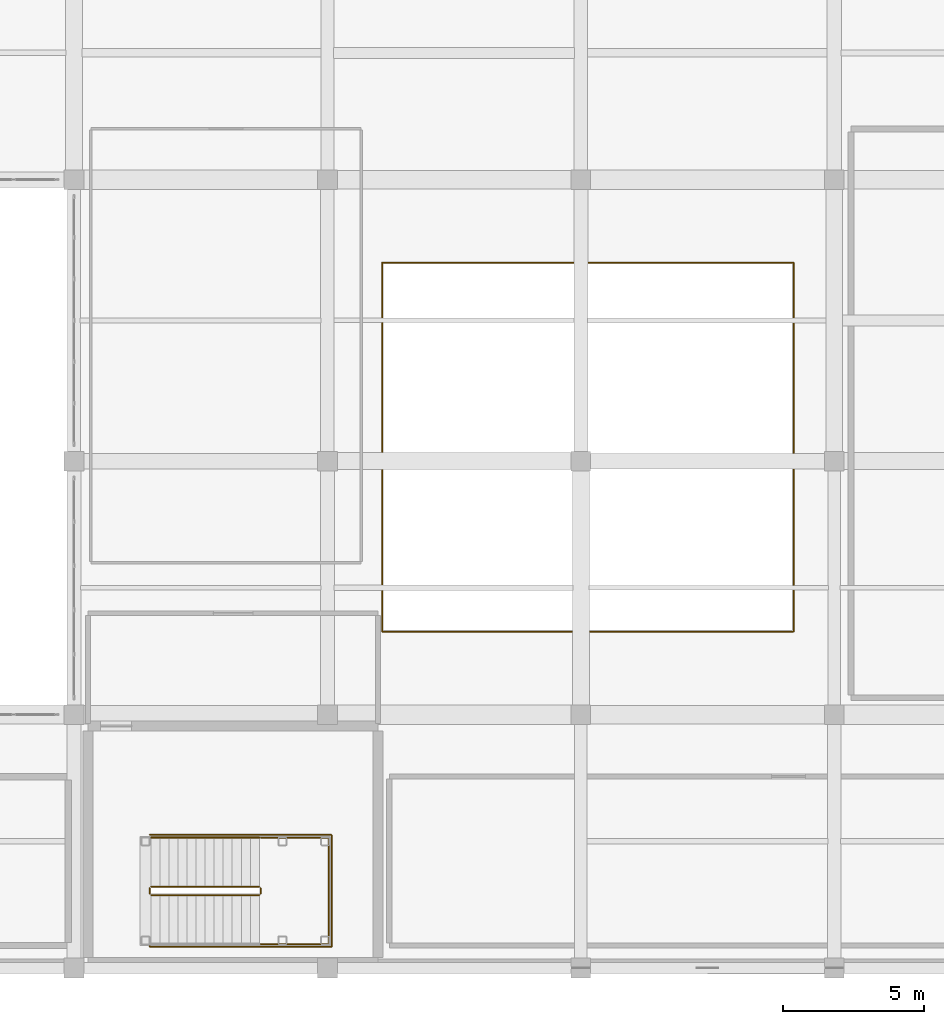
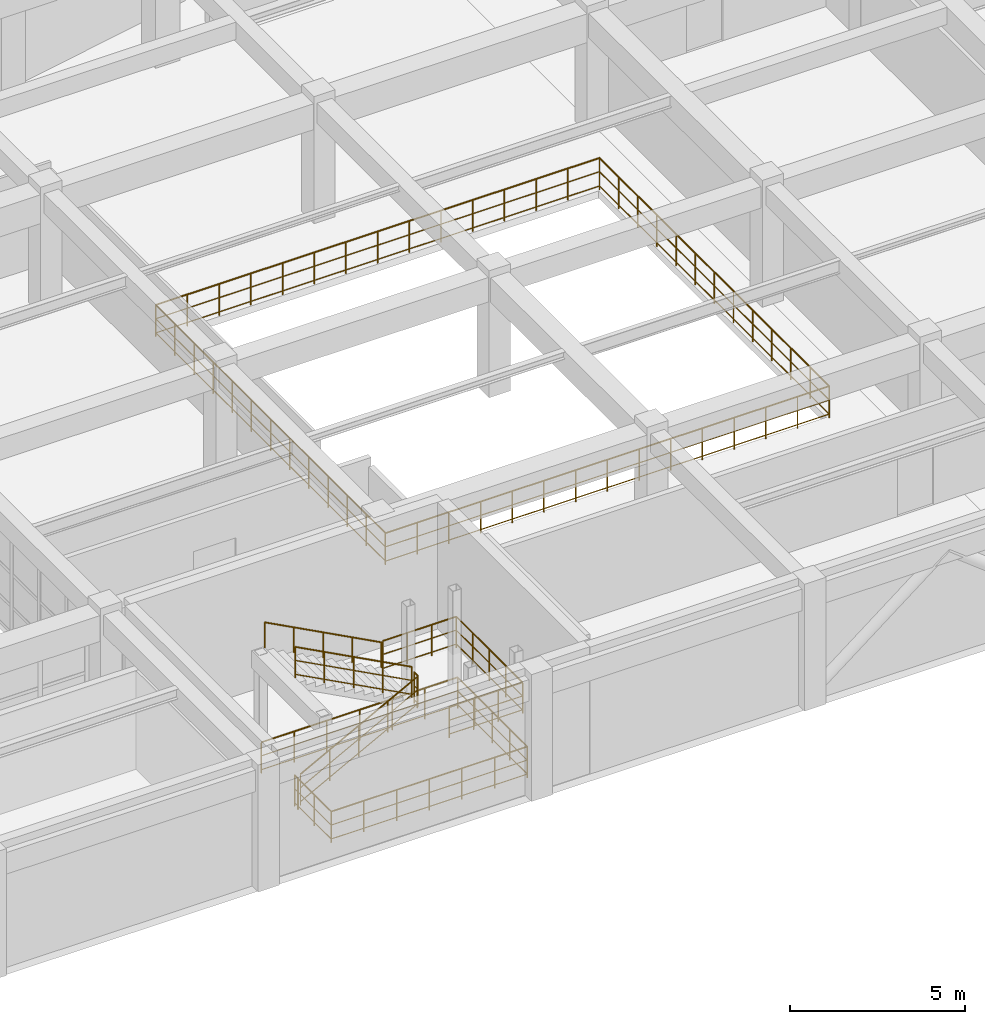
# One storey, part 123 of 133: 8 railings.
"""IFC4 building model written with IfcOpenShell, lengths in metres."""

from ifc_helpers import new_model, si_unit, direction, frame, origin, origin_2d, place, context, subcontext, project, spatial, circle, extrude, material, type_object, element, save


model = new_model("IFC4")

# Units and contexts
model_context = context("Model", 3, precision=1e-05, world=origin(), true_north=direction((0.0, 1.0)))
body_context = subcontext(model_context, "Body", "Model", "MODEL_VIEW")
ifc_project = project(units=[si_unit("LENGTHUNIT", "METRE"), si_unit("AREAUNIT", "SQUARE_METRE"), si_unit("VOLUMEUNIT", "CUBIC_METRE"), si_unit("PLANEANGLEUNIT", "RADIAN"), si_unit("MASSUNIT", "GRAM", prefix="KILO")], contexts=[model_context])

# Site, building, storey
site_placement = place(None, origin())
site = spatial("IfcSite", under=ifc_project, at=site_placement, CompositionType="ELEMENT")
building_placement = place(site_placement, origin())
building = spatial("IfcBuilding", under=site, at=building_placement, Name="Miravela Opera House", CompositionType="ELEMENT")
storey_placement = place(building_placement, frame((0.0, 0.0, 5.10009765625)))
storey = spatial("IfcBuildingStorey", under=building, at=storey_placement, Name="L01", CompositionType="ELEMENT", Elevation=5.10009765625)

# Railings
ifc_material_1 = material(Name="Gilded bronze auditorium tier balustrade")
railing_type_1 = type_object("IfcRailingType", Name="ARC-RAIL-BOWL-BAL", PredefinedType="BALUSTRADE", material=ifc_material_1)
railing_1_placement = place(storey_placement, frame((73.9404296875, 11.946533203125, 0.0)))
element("IfcRailing", 1, at=railing_1_placement, inside=storey, type_object=railing_type_1, Name="L01 Void Perimeter Balustrade 0157", PredefinedType="BALUSTRADE", context=body_context, shape_type="SweptSolid", body=[
    extrude(circle(Radius=0.02490234375, at=origin_2d()), frame((0.0, 0.0, 1.09521484375), z_axis=(1.0, 0.0, 0.0), x_axis=(0.0, 1.0, 0.0)), (0.0, 0.0, 1.0), 14.619140625),
    extrude(circle(Radius=0.01611328125, at=origin_2d()), frame((0.0, 0.0, 0.615966796875), z_axis=(1.0, 0.0, 0.0), x_axis=(0.0, 1.0, 0.0)), (0.0, 0.0, 1.0), 14.619140625),
    extrude(circle(Radius=0.01611328125, at=origin_2d()), frame((0.0, 0.0, 0.1201171875), z_axis=(1.0, 0.0, 0.0), x_axis=(0.0, 1.0, 0.0)), (0.0, 0.0, 1.0), 14.619140625),
    extrude(circle(Radius=0.02490234375, at=origin_2d()), frame((14.619140625, 0.0, 1.09521484375), z_axis=(0.0, 1.0, 0.0), x_axis=(-1.0, 0.0, 0.0)), (0.0, 0.0, 1.0), 13.10693359375),
    extrude(circle(Radius=0.01611328125, at=origin_2d()), frame((14.619140625, 0.0, 0.615966796875), z_axis=(0.0, 1.0, 0.0), x_axis=(-1.0, 0.0, 0.0)), (0.0, 0.0, 1.0), 13.10693359375),
    extrude(circle(Radius=0.01611328125, at=origin_2d()), frame((14.619140625, 0.0, 0.1201171875), z_axis=(0.0, 1.0, 0.0), x_axis=(-1.0, 0.0, 0.0)), (0.0, 0.0, 1.0), 13.10693359375),
    extrude(circle(Radius=0.02490234375, at=origin_2d()), frame((14.619140625, 13.10693359375, 1.09521484375), z_axis=(-1.0, 0.0, 0.0), x_axis=(0.0, -1.0, 0.0)), (0.0, 0.0, 1.0), 14.619140625),
    extrude(circle(Radius=0.01611328125, at=origin_2d()), frame((14.619140625, 13.10693359375, 0.615966796875), z_axis=(-1.0, 0.0, 0.0), x_axis=(0.0, -1.0, 0.0)), (0.0, 0.0, 1.0), 14.619140625),
    extrude(circle(Radius=0.01611328125, at=origin_2d()), frame((14.619140625, 13.10693359375, 0.1201171875), z_axis=(-1.0, 0.0, 0.0), x_axis=(0.0, -1.0, 0.0)), (0.0, 0.0, 1.0), 14.619140625),
    extrude(circle(Radius=0.02490234375, at=origin_2d()), frame((0.0, 13.10693359375, 1.09521484375), z_axis=(0.0, -1.0, 0.0), x_axis=(1.0, 0.0, 0.0)), (0.0, 0.0, 1.0), 13.10693359375),
    extrude(circle(Radius=0.01611328125, at=origin_2d()), frame((0.0, 13.10693359375, 0.615966796875), z_axis=(0.0, -1.0, 0.0), x_axis=(1.0, 0.0, 0.0)), (0.0, 0.0, 1.0), 13.10693359375),
    extrude(circle(Radius=0.01611328125, at=origin_2d()), frame((0.0, 13.10693359375, 0.1201171875), z_axis=(0.0, -1.0, 0.0), x_axis=(1.0, 0.0, 0.0)), (0.0, 0.0, 1.0), 13.10693359375),
    extrude(circle(Radius=0.02099609375, at=origin_2d()), origin(), (0.0, 0.0, 1.0), 1.070068359375),
    extrude(circle(Radius=0.02099609375, at=origin_2d()), frame((1.044189453125, 0.0, 0.0)), (0.0, 0.0, 1.0), 1.070068359375),
    extrude(circle(Radius=0.02099609375, at=origin_2d()), frame((2.08837890625, 0.0, 0.0)), (0.0, 0.0, 1.0), 1.070068359375),
    extrude(circle(Radius=0.02099609375, at=origin_2d()), frame((3.132568359375, 0.0, 0.0)), (0.0, 0.0, 1.0), 1.070068359375),
    extrude(circle(Radius=0.02099609375, at=origin_2d()), frame((4.177001953125, 0.0, 0.0)), (0.0, 0.0, 1.0), 1.070068359375),
    extrude(circle(Radius=0.02099609375, at=origin_2d()), frame((5.22119140625, 0.0, 0.0)), (0.0, 0.0, 1.0), 1.070068359375),
    extrude(circle(Radius=0.02099609375, at=origin_2d()), frame((6.265380859375, 0.0, 0.0)), (0.0, 0.0, 1.0), 1.070068359375),
    extrude(circle(Radius=0.02099609375, at=origin_2d()), frame((7.3095703125, 0.0, 0.0)), (0.0, 0.0, 1.0), 1.070068359375),
    extrude(circle(Radius=0.02099609375, at=origin_2d()), frame((8.353759765625, 0.0, 0.0)), (0.0, 0.0, 1.0), 1.070068359375),
    extrude(circle(Radius=0.02099609375, at=origin_2d()), frame((9.39794921875, 0.0, 0.0)), (0.0, 0.0, 1.0), 1.070068359375),
    extrude(circle(Radius=0.02099609375, at=origin_2d()), frame((10.442138671875, 0.0, 0.0)), (0.0, 0.0, 1.0), 1.070068359375),
    extrude(circle(Radius=0.02099609375, at=origin_2d()), frame((11.486572265625, 0.0, 0.0)), (0.0, 0.0, 1.0), 1.070068359375),
    extrude(circle(Radius=0.02099609375, at=origin_2d()), frame((12.53076171875, 0.0, 0.0)), (0.0, 0.0, 1.0), 1.070068359375),
    extrude(circle(Radius=0.02099609375, at=origin_2d()), frame((13.574951171875, 0.0, 0.0)), (0.0, 0.0, 1.0), 1.070068359375),
    extrude(circle(Radius=0.02099609375, at=origin_2d()), frame((14.619140625, 0.0, 0.0)), (0.0, 0.0, 1.0), 1.070068359375),
    extrude(circle(Radius=0.02099609375, at=origin_2d()), frame((14.619140625, 1.09228515625, 0.0)), (0.0, 0.0, 1.0), 1.070068359375),
    extrude(circle(Radius=0.02099609375, at=origin_2d()), frame((14.619140625, 2.1845703125, 0.0)), (0.0, 0.0, 1.0), 1.070068359375),
    extrude(circle(Radius=0.02099609375, at=origin_2d()), frame((14.619140625, 3.27685546875, 0.0)), (0.0, 0.0, 1.0), 1.070068359375),
    extrude(circle(Radius=0.02099609375, at=origin_2d()), frame((14.619140625, 4.368896484375, 0.0)), (0.0, 0.0, 1.0), 1.070068359375),
    extrude(circle(Radius=0.02099609375, at=origin_2d()), frame((14.619140625, 5.461181640625, 0.0)), (0.0, 0.0, 1.0), 1.070068359375),
    extrude(circle(Radius=0.02099609375, at=origin_2d()), frame((14.619140625, 6.553466796875, 0.0)), (0.0, 0.0, 1.0), 1.070068359375),
    extrude(circle(Radius=0.02099609375, at=origin_2d()), frame((14.619140625, 7.645751953125, 0.0)), (0.0, 0.0, 1.0), 1.070068359375),
    extrude(circle(Radius=0.02099609375, at=origin_2d()), frame((14.619140625, 8.738037109375, 0.0)), (0.0, 0.0, 1.0), 1.070068359375),
    extrude(circle(Radius=0.02099609375, at=origin_2d()), frame((14.619140625, 9.830078125, 0.0)), (0.0, 0.0, 1.0), 1.070068359375),
    extrude(circle(Radius=0.02099609375, at=origin_2d()), frame((14.619140625, 10.92236328125, 0.0)), (0.0, 0.0, 1.0), 1.070068359375),
    extrude(circle(Radius=0.02099609375, at=origin_2d()), frame((14.619140625, 12.0146484375, 0.0)), (0.0, 0.0, 1.0), 1.070068359375),
    extrude(circle(Radius=0.02099609375, at=origin_2d()), frame((14.619140625, 13.10693359375, 0.0)), (0.0, 0.0, 1.0), 1.070068359375),
    extrude(circle(Radius=0.02099609375, at=origin_2d()), frame((13.574951171875, 13.10693359375, 0.0)), (0.0, 0.0, 1.0), 1.070068359375),
    extrude(circle(Radius=0.02099609375, at=origin_2d()), frame((12.53076171875, 13.10693359375, 0.0)), (0.0, 0.0, 1.0), 1.070068359375),
    extrude(circle(Radius=0.02099609375, at=origin_2d()), frame((11.486572265625, 13.10693359375, 0.0)), (0.0, 0.0, 1.0), 1.070068359375),
    extrude(circle(Radius=0.02099609375, at=origin_2d()), frame((10.442138671875, 13.10693359375, 0.0)), (0.0, 0.0, 1.0), 1.070068359375),
    extrude(circle(Radius=0.02099609375, at=origin_2d()), frame((9.39794921875, 13.10693359375, 0.0)), (0.0, 0.0, 1.0), 1.070068359375),
    extrude(circle(Radius=0.02099609375, at=origin_2d()), frame((8.353759765625, 13.10693359375, 0.0)), (0.0, 0.0, 1.0), 1.070068359375),
    extrude(circle(Radius=0.02099609375, at=origin_2d()), frame((7.3095703125, 13.10693359375, 0.0)), (0.0, 0.0, 1.0), 1.070068359375),
    extrude(circle(Radius=0.02099609375, at=origin_2d()), frame((6.265380859375, 13.10693359375, 0.0)), (0.0, 0.0, 1.0), 1.070068359375),
    extrude(circle(Radius=0.02099609375, at=origin_2d()), frame((5.22119140625, 13.10693359375, 0.0)), (0.0, 0.0, 1.0), 1.070068359375),
    extrude(circle(Radius=0.02099609375, at=origin_2d()), frame((4.177001953125, 13.10693359375, 0.0)), (0.0, 0.0, 1.0), 1.070068359375),
    extrude(circle(Radius=0.02099609375, at=origin_2d()), frame((3.132568359375, 13.10693359375, 0.0)), (0.0, 0.0, 1.0), 1.070068359375),
    extrude(circle(Radius=0.02099609375, at=origin_2d()), frame((2.08837890625, 13.10693359375, 0.0)), (0.0, 0.0, 1.0), 1.070068359375),
    extrude(circle(Radius=0.02099609375, at=origin_2d()), frame((1.044189453125, 13.10693359375, 0.0)), (0.0, 0.0, 1.0), 1.070068359375),
    extrude(circle(Radius=0.02099609375, at=origin_2d()), frame((0.0, 13.10693359375, 0.0)), (0.0, 0.0, 1.0), 1.070068359375),
    extrude(circle(Radius=0.02099609375, at=origin_2d()), frame((0.0, 12.0146484375, 0.0)), (0.0, 0.0, 1.0), 1.070068359375),
    extrude(circle(Radius=0.02099609375, at=origin_2d()), frame((0.0, 10.92236328125, 0.0)), (0.0, 0.0, 1.0), 1.070068359375),
    extrude(circle(Radius=0.02099609375, at=origin_2d()), frame((0.0, 9.830078125, 0.0)), (0.0, 0.0, 1.0), 1.070068359375),
    extrude(circle(Radius=0.02099609375, at=origin_2d()), frame((0.0, 8.738037109375, 0.0)), (0.0, 0.0, 1.0), 1.070068359375),
    extrude(circle(Radius=0.02099609375, at=origin_2d()), frame((0.0, 7.645751953125, 0.0)), (0.0, 0.0, 1.0), 1.070068359375),
    extrude(circle(Radius=0.02099609375, at=origin_2d()), frame((0.0, 6.553466796875, 0.0)), (0.0, 0.0, 1.0), 1.070068359375),
    extrude(circle(Radius=0.02099609375, at=origin_2d()), frame((0.0, 5.461181640625, 0.0)), (0.0, 0.0, 1.0), 1.070068359375),
    extrude(circle(Radius=0.02099609375, at=origin_2d()), frame((0.0, 4.368896484375, 0.0)), (0.0, 0.0, 1.0), 1.070068359375),
    extrude(circle(Radius=0.02099609375, at=origin_2d()), frame((0.0, 3.27685546875, 0.0)), (0.0, 0.0, 1.0), 1.070068359375),
    extrude(circle(Radius=0.02099609375, at=origin_2d()), frame((0.0, 2.1845703125, 0.0)), (0.0, 0.0, 1.0), 1.070068359375),
    extrude(circle(Radius=0.02099609375, at=origin_2d()), frame((0.0, 1.09228515625, 0.0)), (0.0, 0.0, 1.0), 1.070068359375),
])
ifc_material_2 = material(Name="Brushed bronze continuous stair handrail")
railing_type_2 = type_object("IfcRailingType", Name="ARC-RAIL-HAND-900", PredefinedType="HANDRAIL", material=ifc_material_2)
railing_2_placement = place(storey_placement, frame((69.580078125, 4.6298828125, 2.3798828125)))
element("IfcRailing", 2, at=railing_2_placement, inside=storey, type_object=railing_type_2, Name="L01 ST-06 stair handrail 2", PredefinedType="HANDRAIL", context=body_context, shape_type="SweptSolid", body=[
    extrude(circle(Radius=0.02392578125, at=origin_2d()), frame((0.0, 0.0, 0.8759765625), z_axis=(-0.883116446401, 0.0, 0.469153857596), x_axis=(0.0, -1.0, 0.0)), (0.0, 0.0, 1.0), 4.348388671875),
    extrude(circle(Radius=0.02099609375, at=origin_2d()), origin(), (0.0, 0.0, 1.0), 0.851806640625),
    extrude(circle(Radius=0.02099609375, at=origin_2d()), frame((-0.9599609375, 0.0, 0.510009765625)), (0.0, 0.0, 1.0), 0.851806640625),
    extrude(circle(Radius=0.02099609375, at=origin_2d()), frame((-1.919921875, 0.0, 1.02001953125)), (0.0, 0.0, 1.0), 0.851806640625),
    extrude(circle(Radius=0.02099609375, at=origin_2d()), frame((-2.880126953125, 0.0, 1.530029296875)), (0.0, 0.0, 1.0), 0.851806640625),
    extrude(circle(Radius=0.02099609375, at=origin_2d()), frame((-3.840087890625, 0.0, 2.0400390625)), (0.0, 0.0, 1.0), 0.851806640625),
])
ifc_material_3 = material(Name="Painted wrought-iron stair guardrail")
railing_type_3 = type_object("IfcRailingType", Name="ARC-RAIL-STAIR-GUARD", PredefinedType="GUARDRAIL", material=ifc_material_3)
railing_3_placement = place(storey_placement, frame((65.739990234375, 2.590087890625, 0.169921875)))
element("IfcRailing", 3, at=railing_3_placement, inside=storey, type_object=railing_type_3, Name="L01 ST-06 stair guard 1", PredefinedType="GUARDRAIL", context=body_context, shape_type="SweptSolid", body=[
    extrude(circle(Radius=0.02392578125, at=origin_2d()), frame((0.0, 0.0, 1.076171875), z_axis=(0.883116446401, 0.0, 0.469153857596), x_axis=(0.0, 1.0, 0.0)), (0.0, 0.0, 1.0), 4.348388671875),
    extrude(circle(Radius=0.01611328125, at=origin_2d()), frame((0.0, 0.0, 0.60498046875), z_axis=(0.883116446401, 0.0, 0.469153857596), x_axis=(0.0, 1.0, 0.0)), (0.0, 0.0, 1.0), 4.348388671875),
    extrude(circle(Radius=0.01611328125, at=origin_2d()), frame((0.0, 0.0, 0.1201171875), z_axis=(0.883116446401, 0.0, 0.469153857596), x_axis=(0.0, 1.0, 0.0)), (0.0, 0.0, 1.0), 4.348388671875),
    extrude(circle(Radius=0.02099609375, at=origin_2d()), origin(), (0.0, 0.0, 1.0), 1.052001953125),
    extrude(circle(Radius=0.02099609375, at=origin_2d()), frame((0.9599609375, 0.0, 0.510009765625)), (0.0, 0.0, 1.0), 1.052001953125),
    extrude(circle(Radius=0.02099609375, at=origin_2d()), frame((1.919921875, 0.0, 1.02001953125)), (0.0, 0.0, 1.0), 1.052001953125),
    extrude(circle(Radius=0.02099609375, at=origin_2d()), frame((2.880126953125, 0.0, 1.530029296875)), (0.0, 0.0, 1.0), 1.052001953125),
    extrude(circle(Radius=0.02099609375, at=origin_2d()), frame((3.840087890625, 0.0, 2.0400390625)), (0.0, 0.0, 1.0), 1.052001953125),
])
railing_4_placement = place(storey_placement, frame((69.6298828125, 2.639892578125, 2.2099609375)))
element("IfcRailing", 4, at=railing_4_placement, inside=storey, type_object=railing_type_3, Name="L01 ST-06 stair guard 2", PredefinedType="GUARDRAIL", context=body_context, shape_type="SweptSolid", body=[
    extrude(circle(Radius=0.02392578125, at=origin_2d()), frame((0.0, 0.0, 1.076171875), z_axis=(0.0, 1.0, 0.0), x_axis=(-1.0, 0.0, 0.0)), (0.0, 0.0, 1.0), 0.2001953125),
    extrude(circle(Radius=0.01611328125, at=origin_2d()), frame((0.0, 0.0, 0.60498046875), z_axis=(0.0, 1.0, 0.0), x_axis=(-1.0, 0.0, 0.0)), (0.0, 0.0, 1.0), 0.2001953125),
    extrude(circle(Radius=0.01611328125, at=origin_2d()), frame((0.0, 0.0, 0.1201171875), z_axis=(0.0, 1.0, 0.0), x_axis=(-1.0, 0.0, 0.0)), (0.0, 0.0, 1.0), 0.2001953125),
    extrude(circle(Radius=0.02099609375, at=origin_2d()), origin(), (0.0, 0.0, 1.0), 1.052001953125),
    extrude(circle(Radius=0.02099609375, at=origin_2d()), frame((0.0, 0.2001953125, 0.0)), (0.0, 0.0, 1.0), 1.052001953125),
])
railing_5_placement = place(storey_placement, frame((69.580078125, 2.889892578125, 2.3798828125)))
element("IfcRailing", 5, at=railing_5_placement, inside=storey, type_object=railing_type_3, Name="L01 ST-06 stair guard 3", PredefinedType="GUARDRAIL", context=body_context, shape_type="SweptSolid", body=[
    extrude(circle(Radius=0.02392578125, at=origin_2d()), frame((0.0, 0.0, 1.076171875), z_axis=(-0.883116446401, 0.0, 0.469153857596), x_axis=(0.0, -1.0, 0.0)), (0.0, 0.0, 1.0), 4.348388671875),
    extrude(circle(Radius=0.01611328125, at=origin_2d()), frame((0.0, 0.0, 0.60498046875), z_axis=(-0.883116446401, 0.0, 0.469153857596), x_axis=(0.0, -1.0, 0.0)), (0.0, 0.0, 1.0), 4.348388671875),
    extrude(circle(Radius=0.01611328125, at=origin_2d()), frame((0.0, 0.0, 0.1201171875), z_axis=(-0.883116446401, 0.0, 0.469153857596), x_axis=(0.0, -1.0, 0.0)), (0.0, 0.0, 1.0), 4.348388671875),
    extrude(circle(Radius=0.02099609375, at=origin_2d()), origin(), (0.0, 0.0, 1.0), 1.052001953125),
    extrude(circle(Radius=0.02099609375, at=origin_2d()), frame((-0.9599609375, 0.0, 0.510009765625)), (0.0, 0.0, 1.0), 1.052001953125),
    extrude(circle(Radius=0.02099609375, at=origin_2d()), frame((-1.919921875, 0.0, 1.02001953125)), (0.0, 0.0, 1.0), 1.052001953125),
    extrude(circle(Radius=0.02099609375, at=origin_2d()), frame((-2.880126953125, 0.0, 1.530029296875)), (0.0, 0.0, 1.0), 1.052001953125),
    extrude(circle(Radius=0.02099609375, at=origin_2d()), frame((-3.840087890625, 0.0, 2.0400390625)), (0.0, 0.0, 1.0), 1.052001953125),
])
railing_6_placement = place(storey_placement, frame((65.68994140625, 2.639892578125, 0.0)))
element("IfcRailing", 6, at=railing_6_placement, inside=storey, type_object=railing_type_3, Name="L01 ST-06 stair guard 4", PredefinedType="GUARDRAIL", context=body_context, shape_type="SweptSolid", body=[
    extrude(circle(Radius=0.02392578125, at=origin_2d()), frame((0.0, 0.0, 1.076171875), z_axis=(0.0, 1.0, 0.0), x_axis=(-1.0, 0.0, 0.0)), (0.0, 0.0, 1.0), 0.2001953125),
    extrude(circle(Radius=0.01611328125, at=origin_2d()), frame((0.0, 0.0, 0.60498046875), z_axis=(0.0, 1.0, 0.0), x_axis=(-1.0, 0.0, 0.0)), (0.0, 0.0, 1.0), 0.2001953125),
    extrude(circle(Radius=0.01611328125, at=origin_2d()), frame((0.0, 0.0, 0.1201171875), z_axis=(0.0, 1.0, 0.0), x_axis=(-1.0, 0.0, 0.0)), (0.0, 0.0, 1.0), 0.2001953125),
    extrude(circle(Radius=0.02099609375, at=origin_2d()), origin(), (0.0, 0.0, 1.0), 1.052001953125),
    extrude(circle(Radius=0.02099609375, at=origin_2d()), frame((0.0, 0.2001953125, 0.0)), (0.0, 0.0, 1.0), 1.052001953125),
])
railing_7_placement = place(storey_placement, frame((69.6298828125, 0.85009765625, 2.2099609375)))
element("IfcRailing", 7, at=railing_7_placement, inside=storey, type_object=railing_type_3, Name="Stair ST-06 Half-Landing Perimeter Guard (L01) 0061", PredefinedType="GUARDRAIL", context=body_context, shape_type="SweptSolid", body=[
    extrude(circle(Radius=0.02392578125, at=origin_2d()), frame((0.0, 0.0, 1.076171875), z_axis=(1.0, 0.0, 0.0), x_axis=(0.0, 1.0, 0.0)), (0.0, 0.0, 1.0), 2.420166015625),
    extrude(circle(Radius=0.01611328125, at=origin_2d()), frame((0.0, 0.0, 0.60498046875), z_axis=(1.0, 0.0, 0.0), x_axis=(0.0, 1.0, 0.0)), (0.0, 0.0, 1.0), 2.420166015625),
    extrude(circle(Radius=0.01611328125, at=origin_2d()), frame((0.0, 0.0, 0.1201171875), z_axis=(1.0, 0.0, 0.0), x_axis=(0.0, 1.0, 0.0)), (0.0, 0.0, 1.0), 2.420166015625),
    extrude(circle(Radius=0.02392578125, at=origin_2d()), frame((2.420166015625, 0.0, 1.076171875), z_axis=(0.0, 1.0, 0.0), x_axis=(-1.0, 0.0, 0.0)), (0.0, 0.0, 1.0), 3.77978515625),
    extrude(circle(Radius=0.01611328125, at=origin_2d()), frame((2.420166015625, 0.0, 0.60498046875), z_axis=(0.0, 1.0, 0.0), x_axis=(-1.0, 0.0, 0.0)), (0.0, 0.0, 1.0), 3.77978515625),
    extrude(circle(Radius=0.01611328125, at=origin_2d()), frame((2.420166015625, 0.0, 0.1201171875), z_axis=(0.0, 1.0, 0.0), x_axis=(-1.0, 0.0, 0.0)), (0.0, 0.0, 1.0), 3.77978515625),
    extrude(circle(Radius=0.02392578125, at=origin_2d()), frame((2.420166015625, 3.77978515625, 1.076171875), z_axis=(-1.0, 0.0, 0.0), x_axis=(0.0, -1.0, 0.0)), (0.0, 0.0, 1.0), 2.420166015625),
    extrude(circle(Radius=0.01611328125, at=origin_2d()), frame((2.420166015625, 3.77978515625, 0.60498046875), z_axis=(-1.0, 0.0, 0.0), x_axis=(0.0, -1.0, 0.0)), (0.0, 0.0, 1.0), 2.420166015625),
    extrude(circle(Radius=0.01611328125, at=origin_2d()), frame((2.420166015625, 3.77978515625, 0.1201171875), z_axis=(-1.0, 0.0, 0.0), x_axis=(0.0, -1.0, 0.0)), (0.0, 0.0, 1.0), 2.420166015625),
    extrude(circle(Radius=0.02099609375, at=origin_2d()), origin(), (0.0, 0.0, 1.0), 1.052001953125),
    extrude(circle(Radius=0.02099609375, at=origin_2d()), frame((0.806640625, 0.0, 0.0)), (0.0, 0.0, 1.0), 1.052001953125),
    extrude(circle(Radius=0.02099609375, at=origin_2d()), frame((1.613525390625, 0.0, 0.0)), (0.0, 0.0, 1.0), 1.052001953125),
    extrude(circle(Radius=0.02099609375, at=origin_2d()), frame((2.420166015625, 0.0, 0.0)), (0.0, 0.0, 1.0), 1.052001953125),
    extrude(circle(Radius=0.02099609375, at=origin_2d()), frame((2.420166015625, 0.94482421875, 0.0)), (0.0, 0.0, 1.0), 1.052001953125),
    extrude(circle(Radius=0.02099609375, at=origin_2d()), frame((2.420166015625, 1.889892578125, 0.0)), (0.0, 0.0, 1.0), 1.052001953125),
    extrude(circle(Radius=0.02099609375, at=origin_2d()), frame((2.420166015625, 2.8349609375, 0.0)), (0.0, 0.0, 1.0), 1.052001953125),
    extrude(circle(Radius=0.02099609375, at=origin_2d()), frame((2.420166015625, 3.77978515625, 0.0)), (0.0, 0.0, 1.0), 1.052001953125),
    extrude(circle(Radius=0.02099609375, at=origin_2d()), frame((1.613525390625, 3.77978515625, 0.0)), (0.0, 0.0, 1.0), 1.052001953125),
    extrude(circle(Radius=0.02099609375, at=origin_2d()), frame((0.806640625, 3.77978515625, 0.0)), (0.0, 0.0, 1.0), 1.052001953125),
    extrude(circle(Radius=0.02099609375, at=origin_2d()), frame((0.0, 3.77978515625, 0.0)), (0.0, 0.0, 1.0), 1.052001953125),
])
railing_8_placement = place(storey_placement, frame((65.68994140625, 2.669921875, 0.0)))
element("IfcRailing", 8, at=railing_8_placement, inside=storey, type_object=railing_type_3, Name="Stair ST-06 Well Slab Opening Guard (L01) 0064", PredefinedType="GUARDRAIL", context=body_context, shape_type="SweptSolid", body=[
    extrude(circle(Radius=0.02392578125, at=origin_2d()), frame((0.0, 0.0, 1.076171875), z_axis=(0.0, -1.0, 0.0), x_axis=(1.0, 0.0, 0.0)), (0.0, 0.0, 1.0), 1.919921875),
    extrude(circle(Radius=0.01611328125, at=origin_2d()), frame((0.0, 0.0, 0.60498046875), z_axis=(0.0, -1.0, 0.0), x_axis=(1.0, 0.0, 0.0)), (0.0, 0.0, 1.0), 1.919921875),
    extrude(circle(Radius=0.01611328125, at=origin_2d()), frame((0.0, 0.0, 0.1201171875), z_axis=(0.0, -1.0, 0.0), x_axis=(1.0, 0.0, 0.0)), (0.0, 0.0, 1.0), 1.919921875),
    extrude(circle(Radius=0.02392578125, at=origin_2d()), frame((0.0, -1.919921875, 1.076171875), z_axis=(1.0, 0.0, 0.0), x_axis=(0.0, 1.0, 0.0)), (0.0, 0.0, 1.0), 6.4599609375),
    extrude(circle(Radius=0.01611328125, at=origin_2d()), frame((0.0, -1.919921875, 0.60498046875), z_axis=(1.0, 0.0, 0.0), x_axis=(0.0, 1.0, 0.0)), (0.0, 0.0, 1.0), 6.4599609375),
    extrude(circle(Radius=0.01611328125, at=origin_2d()), frame((0.0, -1.919921875, 0.1201171875), z_axis=(1.0, 0.0, 0.0), x_axis=(0.0, 1.0, 0.0)), (0.0, 0.0, 1.0), 6.4599609375),
    extrude(circle(Radius=0.02392578125, at=origin_2d()), frame((6.4599609375, -1.919921875, 1.076171875), z_axis=(0.0, 1.0, 0.0), x_axis=(-1.0, 0.0, 0.0)), (0.0, 0.0, 1.0), 3.97998046875),
    extrude(circle(Radius=0.01611328125, at=origin_2d()), frame((6.4599609375, -1.919921875, 0.60498046875), z_axis=(0.0, 1.0, 0.0), x_axis=(-1.0, 0.0, 0.0)), (0.0, 0.0, 1.0), 3.97998046875),
    extrude(circle(Radius=0.01611328125, at=origin_2d()), frame((6.4599609375, -1.919921875, 0.1201171875), z_axis=(0.0, 1.0, 0.0), x_axis=(-1.0, 0.0, 0.0)), (0.0, 0.0, 1.0), 3.97998046875),
    extrude(circle(Radius=0.02392578125, at=origin_2d()), frame((6.4599609375, 2.06005859375, 1.076171875), z_axis=(-1.0, 0.0, 0.0), x_axis=(0.0, -1.0, 0.0)), (0.0, 0.0, 1.0), 6.4599609375),
    extrude(circle(Radius=0.01611328125, at=origin_2d()), frame((6.4599609375, 2.06005859375, 0.60498046875), z_axis=(-1.0, 0.0, 0.0), x_axis=(0.0, -1.0, 0.0)), (0.0, 0.0, 1.0), 6.4599609375),
    extrude(circle(Radius=0.01611328125, at=origin_2d()), frame((6.4599609375, 2.06005859375, 0.1201171875), z_axis=(-1.0, 0.0, 0.0), x_axis=(0.0, -1.0, 0.0)), (0.0, 0.0, 1.0), 6.4599609375),
    extrude(circle(Radius=0.02099609375, at=origin_2d()), origin(), (0.0, 0.0, 1.0), 1.052001953125),
    extrude(circle(Radius=0.02099609375, at=origin_2d()), frame((0.0, -0.9599609375, 0.0)), (0.0, 0.0, 1.0), 1.052001953125),
    extrude(circle(Radius=0.02099609375, at=origin_2d()), frame((0.0, -1.919921875, 0.0)), (0.0, 0.0, 1.0), 1.052001953125),
    extrude(circle(Radius=0.02099609375, at=origin_2d()), frame((1.07666015625, -1.919921875, 0.0)), (0.0, 0.0, 1.0), 1.052001953125),
    extrude(circle(Radius=0.02099609375, at=origin_2d()), frame((2.1533203125, -1.919921875, 0.0)), (0.0, 0.0, 1.0), 1.052001953125),
    extrude(circle(Radius=0.02099609375, at=origin_2d()), frame((3.22998046875, -1.919921875, 0.0)), (0.0, 0.0, 1.0), 1.052001953125),
    extrude(circle(Radius=0.02099609375, at=origin_2d()), frame((4.306640625, -1.919921875, 0.0)), (0.0, 0.0, 1.0), 1.052001953125),
    extrude(circle(Radius=0.02099609375, at=origin_2d()), frame((5.38330078125, -1.919921875, 0.0)), (0.0, 0.0, 1.0), 1.052001953125),
    extrude(circle(Radius=0.02099609375, at=origin_2d()), frame((6.4599609375, -1.919921875, 0.0)), (0.0, 0.0, 1.0), 1.052001953125),
    extrude(circle(Radius=0.02099609375, at=origin_2d()), frame((6.4599609375, -0.9248046875, 0.0)), (0.0, 0.0, 1.0), 1.052001953125),
    extrude(circle(Radius=0.02099609375, at=origin_2d()), frame((6.4599609375, 0.070068359375, 0.0)), (0.0, 0.0, 1.0), 1.052001953125),
    extrude(circle(Radius=0.02099609375, at=origin_2d()), frame((6.4599609375, 1.06494140625, 0.0)), (0.0, 0.0, 1.0), 1.052001953125),
    extrude(circle(Radius=0.02099609375, at=origin_2d()), frame((6.4599609375, 2.06005859375, 0.0)), (0.0, 0.0, 1.0), 1.052001953125),
    extrude(circle(Radius=0.02099609375, at=origin_2d()), frame((5.38330078125, 2.06005859375, 0.0)), (0.0, 0.0, 1.0), 1.052001953125),
    extrude(circle(Radius=0.02099609375, at=origin_2d()), frame((4.306640625, 2.06005859375, 0.0)), (0.0, 0.0, 1.0), 1.052001953125),
    extrude(circle(Radius=0.02099609375, at=origin_2d()), frame((3.22998046875, 2.06005859375, 0.0)), (0.0, 0.0, 1.0), 1.052001953125),
    extrude(circle(Radius=0.02099609375, at=origin_2d()), frame((2.1533203125, 2.06005859375, 0.0)), (0.0, 0.0, 1.0), 1.052001953125),
    extrude(circle(Radius=0.02099609375, at=origin_2d()), frame((1.07666015625, 2.06005859375, 0.0)), (0.0, 0.0, 1.0), 1.052001953125),
    extrude(circle(Radius=0.02099609375, at=origin_2d()), frame((0.0, 2.06005859375, 0.0)), (0.0, 0.0, 1.0), 1.052001953125),
])

save(model, "model.ifc")
